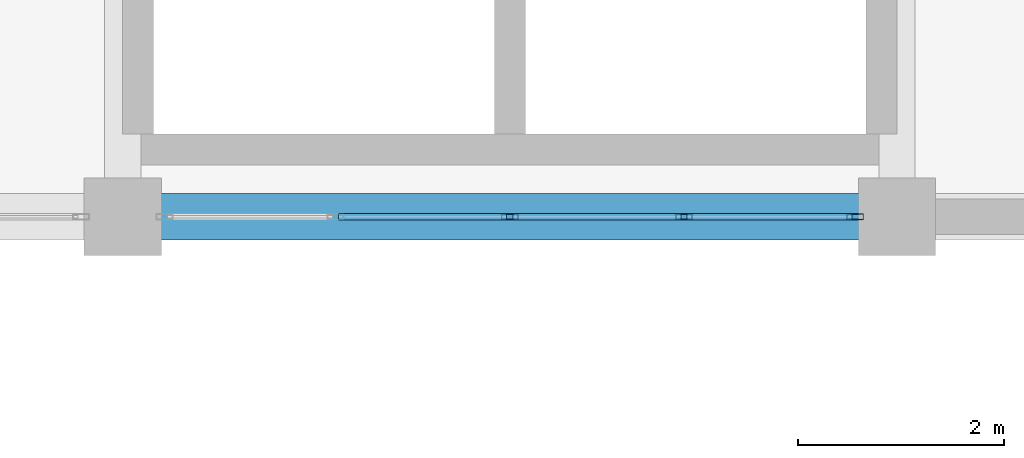
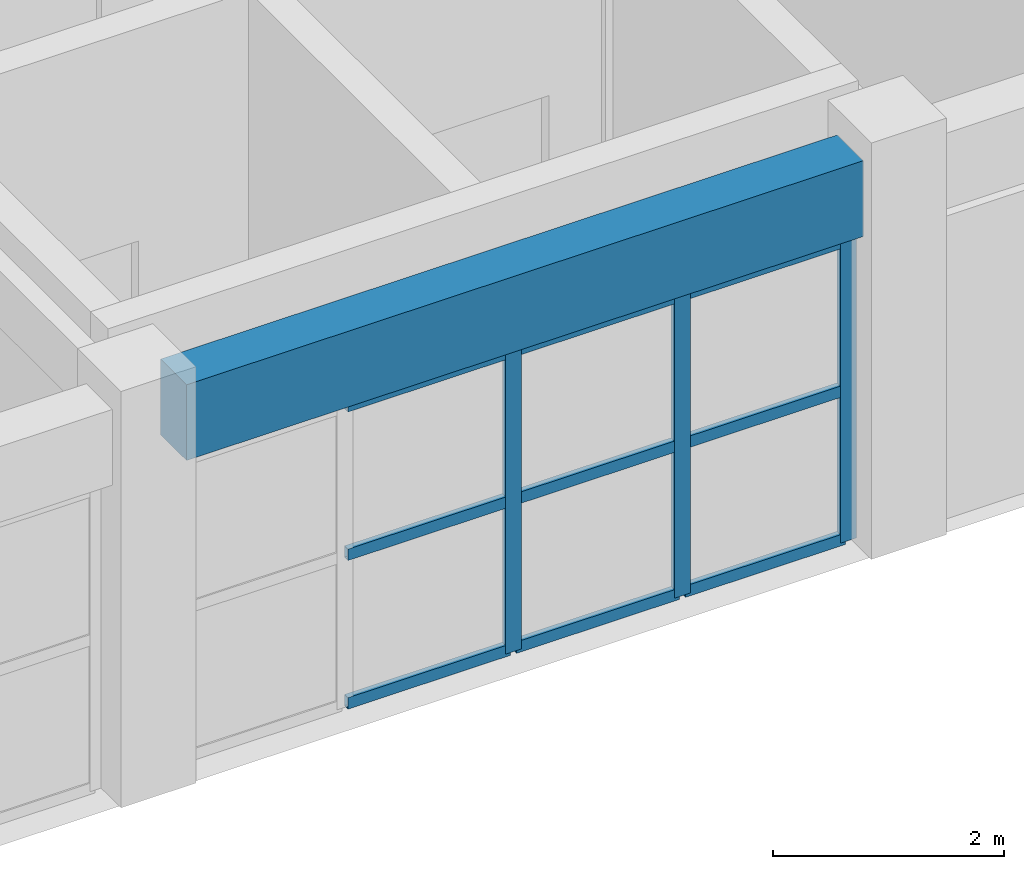
# One storey, part 42 of 116: 12 members, 1 beam, 1 element without a shape of its own.
"""IFC4 building model written with IfcOpenShell, lengths in metres."""

import ifcopenshell
import ifcopenshell.guid

model = None  # the IFC model being written
_history = None  # IfcOwnerHistory: only IFC2X3 demands one
_inside = {}  # id of a spatial element -> (the spatial element, [elements in it])
_under = {}  # id of a project, library or spatial element -> (it, [spatial elements below it])
_declared = {}  # id of a project -> (the project, [libraries it declares])
_typed = {}  # id of a type object -> (the type object, [elements of that type])
_made_of = {}  # id of a material, layer set ... -> (it, [elements and type objects made of it])


def new_model(schema):
    """Start an empty IFC model of exactly this schema.

    Asked for "IFC4X3", IfcOpenShell would pick the latest addendum, in which some entities
    have other attributes; the version numbers below select the first issue.
    IFC2X3 requires an IfcOwnerHistory on every rooted entity: one is made here for all.
    """
    global model, _history
    if schema == "IFC4X3":
        model = ifcopenshell.file(schema_version=(4, 3, 0, 0))
    else:
        model = ifcopenshell.file(schema=schema)
    _inside.clear()
    _under.clear()
    _declared.clear()
    _typed.clear()
    _made_of.clear()
    _history = None
    if model.schema == "IFC2X3":
        org = make("IfcOrganization", Name="unknown")
        user = make(
            "IfcPersonAndOrganization",
            ThePerson=make("IfcPerson", FamilyName="unknown"),
            TheOrganization=org,
        )
        app = make(
            "IfcApplication",
            ApplicationDeveloper=org,
            Version="unknown",
            ApplicationFullName="unknown",
            ApplicationIdentifier="unknown",
        )
        _history = make(
            "IfcOwnerHistory",
            OwningUser=user,
            OwningApplication=app,
            ChangeAction="ADDED",
            CreationDate=0,
        )
    return model


def make(cls, **values):
    """One entity of the class cls with the attributes given. An attribute that is None is left unset."""
    return model.create_entity(
        cls, **{name: value for name, value in values.items() if value is not None}
    )


def rooted(cls, **values):
    """An entity with a GlobalId (a new one), such as an element, a storey or a relation."""
    return make(cls, GlobalId=ifcopenshell.guid.new(), OwnerHistory=_history, **values)


def si_unit(unit_type, name, prefix=None):
    """IfcSIUnit, for example si_unit("LENGTHUNIT", "METRE", prefix="MILLI")."""
    return make("IfcSIUnit", UnitType=unit_type, Prefix=prefix, Name=name)


def assignment(units):
    """IfcUnitAssignment: the units of a project."""
    return None if units is None else make("IfcUnitAssignment", Units=units)


def point(xyz):
    """IfcCartesianPoint."""
    return None if xyz is None else make("IfcCartesianPoint", Coordinates=xyz)


def direction(xyz):
    """IfcDirection."""
    return None if xyz is None else make("IfcDirection", DirectionRatios=xyz)


def frame(location, z_axis=None, x_axis=None):
    """IfcAxis2Placement3D, a coordinate frame: its origin and axes. An axis left out is left unset."""
    return make(
        "IfcAxis2Placement3D",
        Location=point(location),
        Axis=direction(z_axis),
        RefDirection=direction(x_axis),
    )


def frame_2d(location, x_axis=None):
    """IfcAxis2Placement2D, a coordinate frame in the plane: its origin and x axis."""
    return make(
        "IfcAxis2Placement2D", Location=point(location), RefDirection=direction(x_axis)
    )


def origin():
    """The frame at (0, 0, 0) with its axes left unset."""
    return frame((0.0, 0.0, 0.0))


def origin_2d():
    """The frame at (0, 0) in the plane with its x axis left unset."""
    return frame_2d((0.0, 0.0))


def place(relative_to, where):
    """IfcLocalPlacement: puts the frame where relative to a parent placement (None: the world)."""
    return make(
        "IfcLocalPlacement", PlacementRelTo=relative_to, RelativePlacement=where
    )


def context(
    kind, dimensions, precision=None, world=None, true_north=None, identifier=None
):
    """IfcGeometricRepresentationContext, for example the 3D "Model" context."""
    return make(
        "IfcGeometricRepresentationContext",
        ContextIdentifier=identifier,
        ContextType=kind,
        CoordinateSpaceDimension=dimensions,
        Precision=precision,
        WorldCoordinateSystem=world,
        TrueNorth=true_north,
    )


def subcontext(parent, identifier, kind, view, scale=None):
    """IfcGeometricRepresentationSubContext, for example "Body" below "Model"."""
    return make(
        "IfcGeometricRepresentationSubContext",
        ContextIdentifier=identifier,
        ContextType=kind,
        ParentContext=parent,
        TargetScale=scale,
        TargetView=view,
    )


def project(units=None, contexts=None):
    """IfcProject with its units and contexts."""
    return rooted(
        "IfcProject",
        Name="project",
        RepresentationContexts=contexts,
        UnitsInContext=assignment(units),
    )


def spatial(cls, under=None, at=None, **own):
    """A site, building, storey or space (cls), placed at a placement, below another one or the project."""
    s = rooted(cls, ObjectPlacement=at, **own)
    if under is not None:
        _under.setdefault(under.id(), (under, []))[1].append(s)
    return s


def profile(cls, at=None, kind="AREA", **sizes):
    """A parametric profile (cls). Its sizes go by their IFC names, for example OverallWidth=200.0."""
    return make(cls, ProfileType=kind, Position=at, **sizes)


def rectangle(**sizes):
    """IfcRectangleProfileDef."""
    return profile("IfcRectangleProfileDef", **sizes)


def hollow_rectangle(**sizes):
    """IfcRectangleHollowProfileDef."""
    return profile("IfcRectangleHollowProfileDef", **sizes)


def extrude(swept, where, along, depth):
    """IfcExtrudedAreaSolid: the profile swept, set in the frame where, extruded along a direction by depth."""
    return make(
        "IfcExtrudedAreaSolid",
        SweptArea=swept,
        Position=where,
        ExtrudedDirection=direction(along),
        Depth=depth,
    )


def shape(context_of_items, identifier, shape_type, items):
    """IfcShapeRepresentation: the items that make up one representation, for example the "Body"."""
    return make(
        "IfcShapeRepresentation",
        ContextOfItems=context_of_items,
        RepresentationIdentifier=identifier,
        RepresentationType=shape_type,
        Items=items,
    )


def material(Name=None, Category=None):
    """IfcMaterial."""
    return make("IfcMaterial", Name=Name, Category=Category)


def layer(
    of_material, thickness, ventilated=None, Name=None, Category=None, Priority=None
):
    """IfcMaterialLayer: one layer of a wall or slab, of a material (None: an air gap)."""
    return make(
        "IfcMaterialLayer",
        Material=of_material,
        LayerThickness=thickness,
        IsVentilated=ventilated,
        Name=Name,
        Category=Category,
        Priority=Priority,
    )


def layer_set(layers, Name=None):
    """IfcMaterialLayerSet."""
    return make("IfcMaterialLayerSet", MaterialLayers=layers, LayerSetName=Name)


def material_profile(
    of_material, cross_section, Name=None, Category=None, Priority=None
):
    """IfcMaterialProfile: a cross section and its material."""
    return make(
        "IfcMaterialProfile",
        Name=Name,
        Material=of_material,
        Profile=cross_section,
        Priority=Priority,
        Category=Category,
    )


def profile_set(profiles, Name=None, composite=None):
    """IfcMaterialProfileSet."""
    return make(
        "IfcMaterialProfileSet",
        Name=Name,
        MaterialProfiles=profiles,
        CompositeProfile=composite,
    )


def made_of(thing, what):
    """Note that an element or type object is made of a material, layer set ...; save() writes the relation."""
    if what is not None:
        _made_of.setdefault(what.id(), (what, []))[1].append(thing)
    return thing


def type_object(cls, material=None, **own):
    """A type object (cls), such as IfcWallType, which elements share."""
    return made_of(rooted(cls, **own), material)


def element(
    cls,
    number,
    at=None,
    inside=None,
    cuts=None,
    type_object=None,
    material=None,
    context=None,
    identifier="Body",
    shape_type=None,
    held_by="IfcProductDefinitionShape",
    body=None,
    shapes=None,
    **own,
):
    """One element of the class cls, such as IfcWall. Its Tag is "e" and its number.

    at: its placement. inside: the storey or other place that contains it. cuts: it is an
    opening in that element (IfcRelVoidsElement). A single representation is given by context,
    identifier, shape_type and body (its items); several are given by shapes. held_by: the class
    of the entity that holds the representations. save() writes the other relations.
    """
    e = rooted(cls, Tag="e%d" % number, ObjectPlacement=at, **own)
    if body is not None:
        shapes = [shape(context, identifier, shape_type, body)]
    if shapes is not None:
        e.Representation = make(held_by, Representations=shapes)
    if inside is not None:
        _inside.setdefault(inside.id(), (inside, []))[1].append(e)
    if cuts is not None:
        rooted(
            "IfcRelVoidsElement", RelatingBuildingElement=cuts, RelatedOpeningElement=e
        )
    if type_object is not None:
        _typed.setdefault(type_object.id(), (type_object, []))[1].append(e)
    return made_of(e, material)


def aggregate(whole, parts):
    """IfcRelAggregates: a whole, such as a stair, and the parts it consists of."""
    return rooted("IfcRelAggregates", RelatingObject=whole, RelatedObjects=parts)


def save(model, path):
    """Write the relations noted so far, then the file.

    IfcRelAggregates (storeys below a building ...), IfcRelContainedInSpatialStructure (elements
    in a storey), IfcRelDefinesByType, IfcRelAssociatesMaterial and IfcRelDeclares: one each for
    every whole, place, type object, material and project.
    """
    for whole, parts in _under.values():
        aggregate(whole, parts)
    for where, things in _inside.values():
        rooted(
            "IfcRelContainedInSpatialStructure",
            RelatedElements=things,
            RelatingStructure=where,
        )
    for kind, things in _typed.values():
        rooted("IfcRelDefinesByType", RelatedObjects=things, RelatingType=kind)
    for what, things in _made_of.values():
        rooted("IfcRelAssociatesMaterial", RelatedObjects=things, RelatingMaterial=what)
    for by, libraries in _declared.values():
        rooted("IfcRelDeclares", RelatingContext=by, RelatedDefinitions=libraries)
    model.write(path)


model = new_model("IFC4")

# Units and contexts
model_context = context("Model", 3, precision=1e-05, world=origin(), true_north=direction((0.0, 1.0)))
body_context = subcontext(model_context, "Body", "Model", "MODEL_VIEW")
ifc_project = project(units=[si_unit("LENGTHUNIT", "METRE"), si_unit("AREAUNIT", "SQUARE_METRE"), si_unit("VOLUMEUNIT", "CUBIC_METRE"), si_unit("PLANEANGLEUNIT", "RADIAN"), si_unit("MASSUNIT", "GRAM", prefix="KILO")], contexts=[model_context])

# Site, building, storey
site_placement = place(None, origin())
site = spatial("IfcSite", under=ifc_project, at=site_placement, CompositionType="ELEMENT")
building_placement = place(site_placement, origin())
building = spatial("IfcBuilding", under=site, at=building_placement, Name="Muzn Square Opera House", CompositionType="ELEMENT")
storey_placement = place(building_placement, frame((0.0, 0.0, 5.39990234375)))
storey = spatial("IfcBuildingStorey", under=building, at=storey_placement, Name="L01", CompositionType="ELEMENT", Elevation=5.39990234375)

# Curtain wall, members
ifc_material_1 = material(Name="Low-E laminated acoustic double glazing", Category="glass")
ifc_layer = layer(ifc_material_1, 0.159912109375, Name="Low-E laminated acoustic double glazing", Category="glass")
ifc_layer_set = layer_set([ifc_layer], Name="Low-E laminated acoustic double glazing")
curtain_wall_type = type_object("IfcCurtainWallType", Name="Glazed Curtain Wall Forecourt 6750x3200", PredefinedType="USERDEFINED", material=ifc_layer_set)
curtain_wall_placement = place(storey_placement, origin())
curtain_wall = element("IfcCurtainWall", 1, at=curtain_wall_placement, inside=storey, type_object=curtain_wall_type, Name="Glazed Curtain Wall CW-L01-010", ObjectType="GLAZED CURTAIN WALL", PredefinedType="USERDEFINED")
ifc_material_2 = material(Name="Anodised bronze aluminium 6063-T6", Category="metal")
ifc_material_profile_1 = material_profile(ifc_material_2, hollow_rectangle(XDim=0.06005859375, YDim=0.159912109375, WallThickness=0.00390625, at=origin_2d()), Name="ALU 160x60x4", Category="metal")
ifc_profile_set_1 = profile_set([ifc_material_profile_1], Name="Anodised bronze aluminium 6063-T6")
member_type_1 = type_object("IfcMemberType", Name="Curtain Wall Mullion 160x60", PredefinedType="MULLION", material=ifc_profile_set_1)
member_1_placement = place(storey_placement, frame((114.25, 22.0, 0.0), z_axis=(0.0, 0.0, 1.0), x_axis=(0.0, 1.0, 0.0)))
member_1 = element("IfcMember", 2, at=member_1_placement, type_object=member_type_1, Name="CW-FC-67x32 mullion 3", PredefinedType="MULLION", context=body_context, shape_type="SweptSolid", body=[
    extrude(hollow_rectangle(XDim=0.06005859375, YDim=0.159912109375, WallThickness=0.00390625, at=origin_2d()), origin(), (0.0, 0.0, 1.0), 3.2001953125),
])
member_2_placement = place(storey_placement, frame((115.9375, 22.0, 0.0), z_axis=(0.0, 0.0, 1.0), x_axis=(0.0, 1.0, 0.0)))
member_2 = element("IfcMember", 3, at=member_2_placement, type_object=member_type_1, Name="CW-FC-67x32 mullion 4", PredefinedType="MULLION", context=body_context, shape_type="SweptSolid", body=[
    extrude(hollow_rectangle(XDim=0.06005859375, YDim=0.159912109375, WallThickness=0.00390625, at=origin_2d()), origin(), (0.0, 0.0, 1.0), 3.2001953125),
])
member_3_placement = place(storey_placement, frame((117.594970703125, 22.0, 0.0), z_axis=(0.0, 0.0, 1.0), x_axis=(0.0, 1.0, 0.0)))
member_3 = element("IfcMember", 4, at=member_3_placement, type_object=member_type_1, Name="CW-FC-67x32 mullion 5", PredefinedType="MULLION", context=body_context, shape_type="SweptSolid", body=[
    extrude(hollow_rectangle(XDim=0.06005859375, YDim=0.159912109375, WallThickness=0.00390625, at=origin_2d()), origin(), (0.0, 0.0, 1.0), 3.2001953125),
])
ifc_material_profile_2 = material_profile(ifc_material_2, hollow_rectangle(XDim=0.06005859375, YDim=0.1201171875, WallThickness=0.00390625, at=origin_2d()), Name="ALU 120x60x4", Category="metal")
ifc_profile_set_2 = profile_set([ifc_material_profile_2], Name="Anodised bronze aluminium 6063-T6")
member_type_2 = type_object("IfcMemberType", Name="Curtain Wall Transom 120x60", PredefinedType="USERDEFINED", material=ifc_profile_set_2)
member_4_placement = place(storey_placement, frame((112.592529296875, 22.0, 0.030029296875), z_axis=(1.0, 0.0, 0.0), x_axis=(0.0, 1.0, 0.0)))
member_4 = element("IfcMember", 5, at=member_4_placement, type_object=member_type_2, Name="CW-FC-67x32 transom 2.1", ObjectType="TRANSOM", PredefinedType="USERDEFINED", context=body_context, shape_type="SweptSolid", body=[
    extrude(hollow_rectangle(XDim=0.06005859375, YDim=0.1201171875, WallThickness=0.00390625, at=origin_2d()), origin(), (0.0, 0.0, 1.0), 1.62744140625),
])
member_5_placement = place(storey_placement, frame((112.592529296875, 22.0, 1.60009765625), z_axis=(1.0, 0.0, 0.0), x_axis=(0.0, 1.0, 0.0)))
member_5 = element("IfcMember", 6, at=member_5_placement, type_object=member_type_2, Name="CW-FC-67x32 transom 2.2", ObjectType="TRANSOM", PredefinedType="USERDEFINED", context=body_context, shape_type="SweptSolid", body=[
    extrude(hollow_rectangle(XDim=0.06005859375, YDim=0.1201171875, WallThickness=0.00390625, at=origin_2d()), origin(), (0.0, 0.0, 1.0), 1.62744140625),
])
member_6_placement = place(storey_placement, frame((112.592529296875, 22.0, 3.170166015625), z_axis=(1.0, 0.0, 0.0), x_axis=(0.0, 1.0, 0.0)))
member_6 = element("IfcMember", 7, at=member_6_placement, type_object=member_type_2, Name="CW-FC-67x32 transom 2.3", ObjectType="TRANSOM", PredefinedType="USERDEFINED", context=body_context, shape_type="SweptSolid", body=[
    extrude(hollow_rectangle(XDim=0.06005859375, YDim=0.1201171875, WallThickness=0.00390625, at=origin_2d()), origin(), (0.0, 0.0, 1.0), 1.62744140625),
])
member_7_placement = place(storey_placement, frame((114.280029296875, 22.0, 0.030029296875), z_axis=(1.0, 0.0, 0.0), x_axis=(0.0, 1.0, 0.0)))
member_7 = element("IfcMember", 8, at=member_7_placement, type_object=member_type_2, Name="CW-FC-67x32 transom 3.1", ObjectType="TRANSOM", PredefinedType="USERDEFINED", context=body_context, shape_type="SweptSolid", body=[
    extrude(hollow_rectangle(XDim=0.06005859375, YDim=0.1201171875, WallThickness=0.00390625, at=origin_2d()), origin(), (0.0, 0.0, 1.0), 1.62744140625),
])
member_8_placement = place(storey_placement, frame((114.280029296875, 22.0, 1.60009765625), z_axis=(1.0, 0.0, 0.0), x_axis=(0.0, 1.0, 0.0)))
member_8 = element("IfcMember", 9, at=member_8_placement, type_object=member_type_2, Name="CW-FC-67x32 transom 3.2", ObjectType="TRANSOM", PredefinedType="USERDEFINED", context=body_context, shape_type="SweptSolid", body=[
    extrude(hollow_rectangle(XDim=0.06005859375, YDim=0.1201171875, WallThickness=0.00390625, at=origin_2d()), origin(), (0.0, 0.0, 1.0), 1.62744140625),
])
member_9_placement = place(storey_placement, frame((114.280029296875, 22.0, 3.170166015625), z_axis=(1.0, 0.0, 0.0), x_axis=(0.0, 1.0, 0.0)))
member_9 = element("IfcMember", 10, at=member_9_placement, type_object=member_type_2, Name="CW-FC-67x32 transom 3.3", ObjectType="TRANSOM", PredefinedType="USERDEFINED", context=body_context, shape_type="SweptSolid", body=[
    extrude(hollow_rectangle(XDim=0.06005859375, YDim=0.1201171875, WallThickness=0.00390625, at=origin_2d()), origin(), (0.0, 0.0, 1.0), 1.62744140625),
])
member_10_placement = place(storey_placement, frame((115.967529296875, 22.0, 0.030029296875), z_axis=(1.0, 0.0, 0.0), x_axis=(0.0, 1.0, 0.0)))
member_10 = element("IfcMember", 11, at=member_10_placement, type_object=member_type_2, Name="CW-FC-67x32 transom 4.1", ObjectType="TRANSOM", PredefinedType="USERDEFINED", context=body_context, shape_type="SweptSolid", body=[
    extrude(hollow_rectangle(XDim=0.06005859375, YDim=0.1201171875, WallThickness=0.00390625, at=origin_2d()), origin(), (0.0, 0.0, 1.0), 1.597412109375),
])
member_11_placement = place(storey_placement, frame((115.967529296875, 22.0, 1.60009765625), z_axis=(1.0, 0.0, 0.0), x_axis=(0.0, 1.0, 0.0)))
member_11 = element("IfcMember", 12, at=member_11_placement, type_object=member_type_2, Name="CW-FC-67x32 transom 4.2", ObjectType="TRANSOM", PredefinedType="USERDEFINED", context=body_context, shape_type="SweptSolid", body=[
    extrude(hollow_rectangle(XDim=0.06005859375, YDim=0.1201171875, WallThickness=0.00390625, at=origin_2d()), origin(), (0.0, 0.0, 1.0), 1.597412109375),
])
member_12_placement = place(storey_placement, frame((115.967529296875, 22.0, 3.170166015625), z_axis=(1.0, 0.0, 0.0), x_axis=(0.0, 1.0, 0.0)))
member_12 = element("IfcMember", 13, at=member_12_placement, type_object=member_type_2, Name="CW-FC-67x32 transom 4.3", ObjectType="TRANSOM", PredefinedType="USERDEFINED", context=body_context, shape_type="SweptSolid", body=[
    extrude(hollow_rectangle(XDim=0.06005859375, YDim=0.1201171875, WallThickness=0.00390625, at=origin_2d()), origin(), (0.0, 0.0, 1.0), 1.597412109375),
])
aggregate(curtain_wall, [member_1, member_2, member_3, member_4, member_5, member_6, member_7, member_8, member_9, member_10, member_11, member_12])

# Beam
ifc_material_3 = material(Name="Concrete C40/50", Category="concrete")
ifc_material_profile_3 = material_profile(ifc_material_3, rectangle(XDim=0.449951171875, YDim=0.800048828125, at=origin_2d()), Name="RCB 450x800", Category="concrete")
ifc_profile_set_3 = profile_set([ifc_material_profile_3], Name="Concrete C40/50")
beam_type = type_object("IfcBeamType", Name="Primary Girder 450x800", PredefinedType="BEAM", material=ifc_profile_set_3)
beam_placement = place(storey_placement, frame((110.866943359375, 22.0, 3.72021484375), z_axis=(1.0, 0.0, 0.0), x_axis=(0.0, 1.0, 0.0)))
element("IfcBeam", 14, at=beam_placement, inside=storey, type_object=beam_type, Name="Primary Girder BM-L01-BM-PG800-1109_220_1176_220-1288", PredefinedType="BEAM", context=body_context, shape_type="SweptSolid", body=[
    extrude(rectangle(XDim=0.449951171875, YDim=0.800048828125, at=origin_2d()), origin(), (0.0, 0.0, 1.0), 6.76611328125),
])

save(model, "model.ifc")
